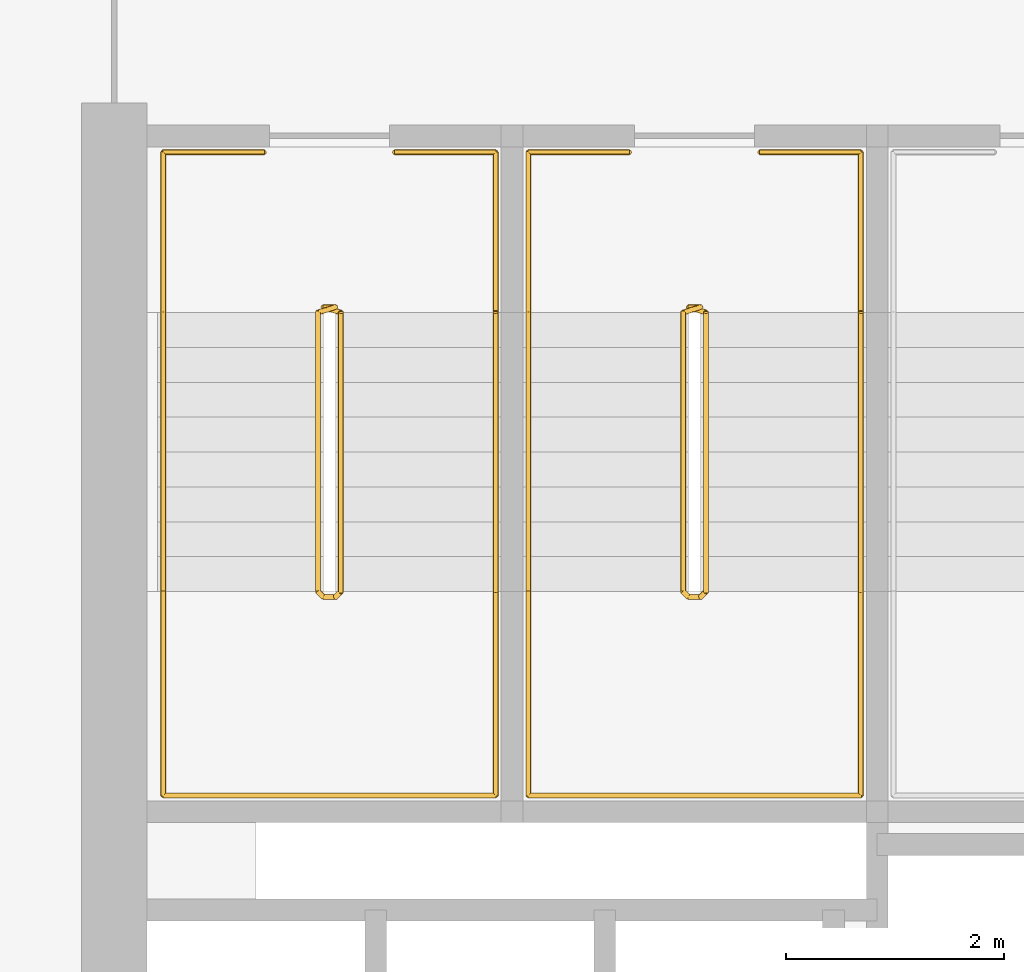
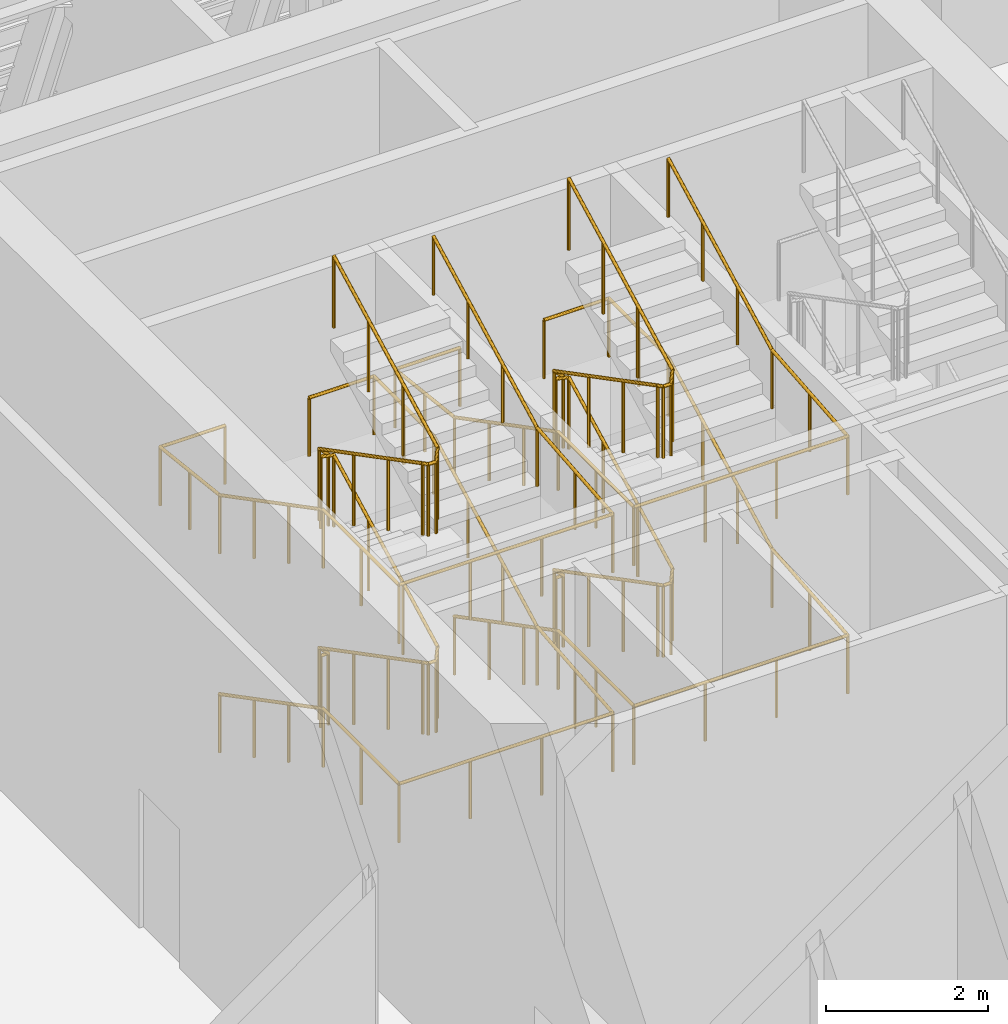
# One storey, part 23 of 24: 6 railings.
"""IFC4 building model written with IfcOpenShell, lengths in metres."""

from ifc_helpers import new_model, si_unit, direction, frame, origin, origin_2d, place, context, subcontext, project, spatial, circle, extrude, material, type_object, element, save


model = new_model("IFC4")

# Units and contexts
model_context = context("Model", 3, precision=1e-05, world=origin(), true_north=direction((0.0, 1.0)))
body_context = subcontext(model_context, "Body", "Model", "MODEL_VIEW")
ifc_project = project(units=[si_unit("LENGTHUNIT", "METRE"), si_unit("AREAUNIT", "SQUARE_METRE"), si_unit("VOLUMEUNIT", "CUBIC_METRE"), si_unit("PLANEANGLEUNIT", "RADIAN"), si_unit("MASSUNIT", "GRAM", prefix="KILO")], contexts=[model_context])

# Site, building, storey
site_placement = place(None, origin())
site = spatial("IfcSite", under=ifc_project, at=site_placement, CompositionType="ELEMENT")
building_placement = place(site_placement, origin())
building = spatial("IfcBuilding", under=site, at=building_placement, Name="Tessera Arch", CompositionType="ELEMENT")
storey_placement = place(building_placement, frame((0.0, 0.0, 123.39990234375)))
storey = spatial("IfcBuildingStorey", under=building, at=storey_placement, Name="L29", CompositionType="ELEMENT", Elevation=123.39990234375)

# Railings
ifc_material_1 = material(Name="Painted steel balustrade", Category="steel")
railing_type_1 = type_object("IfcRailingType", Name="Stair guard 1100", PredefinedType="GUARDRAIL", material=ifc_material_1)
railing_1_placement = place(storey_placement, frame((38.219970703125, 43.6298828125, 0.0)))
element("IfcRailing", 1, at=railing_1_placement, inside=storey, type_object=railing_type_1, Name="L29 S1a stair guard 1", PredefinedType="GUARDRAIL", context=body_context, shape_type="SweptSolid", body=[
    extrude(circle(Radius=0.02392578125, at=origin_2d()), frame((-0.00390625, 0.0, 1.076171875), z_axis=(1.0, 0.0, 0.0), x_axis=(0.0, 1.0, 0.0)), (0.0, 0.0, 1.0), 0.1181640625),
    extrude(circle(Radius=0.02392578125, at=origin_2d()), frame((0.11279296875, 0.000732421875, 1.0732421875), z_axis=(-0.677174120815, -0.210584635131, 0.705045616641), x_axis=(0.296948579431, -0.954893471113, 0.0)), (0.0, 0.0, 1.0), 0.244384765625),
    extrude(circle(Radius=0.02392578125, at=origin_2d()), frame((-0.050048828125, -0.046142578125, 1.240966796875), z_axis=(0.0, -0.886929966286, 0.461903923888), x_axis=(1.0, 0.0, 0.0)), (0.0, 0.0, 1.0), 2.89453125),
    extrude(circle(Radius=0.02392578125, at=origin_2d()), frame((-0.052978515625, -2.60693359375, 2.576171875), z_axis=(0.707106781187, -0.707106781187, 0.0), x_axis=(0.707106781187, 0.707106781187, 0.0)), (0.0, 0.0, 1.0), 0.078857421875),
    extrude(circle(Radius=0.02392578125, at=origin_2d()), frame((-0.00390625, -2.659912109375, 2.576171875), z_axis=(1.0, 0.0, 0.0), x_axis=(0.0, 1.0, 0.0)), (0.0, 0.0, 1.0), 0.1181640625),
    extrude(circle(Radius=0.02392578125, at=origin_2d()), frame((0.10888671875, -2.6611328125, 2.572265625), z_axis=(0.275041040955, 0.276389281352, 0.920848191041), x_axis=(-0.708833529934, 0.705375805398, 0.0)), (0.0, 0.0, 1.0), 0.18896484375),
    extrude(circle(Radius=0.02392578125, at=origin_2d()), frame((0.159912109375, -2.613525390625, 2.740966796875), z_axis=(0.0, 0.886929966286, 0.461903923888), x_axis=(-1.0, 0.0, 0.0)), (0.0, 0.0, 1.0), 2.89453125),
    extrude(circle(Radius=0.02392578125, at=origin_2d()), frame((0.163818359375, -0.051025390625, 4.076171875), z_axis=(-0.954764847777, 0.297361876254, 0.0), x_axis=(-0.297361876254, -0.954764847777, 0.0)), (0.0, 0.0, 1.0), 0.175537109375),
    extrude(circle(Radius=0.02392578125, at=origin_2d()), frame((-0.00390625, 0.0, 4.076171875), z_axis=(1.0, 0.0, 0.0), x_axis=(0.0, 1.0, 0.0)), (0.0, 0.0, 1.0), 0.1181640625),
    extrude(circle(Radius=0.02392578125, at=origin_2d()), frame((0.11279296875, 0.000732421875, 4.0732421875), z_axis=(-0.677174120815, -0.210584635131, 0.705045616641), x_axis=(0.296948579431, -0.954893471113, 0.0)), (0.0, 0.0, 1.0), 0.244384765625),
    extrude(circle(Radius=0.02392578125, at=origin_2d()), frame((-0.050048828125, -0.046142578125, 4.240966796875), z_axis=(0.0, -0.886929966286, 0.461903923888), x_axis=(1.0, 0.0, 0.0)), (0.0, 0.0, 1.0), 2.89453125),
    extrude(circle(Radius=0.02392578125, at=origin_2d()), frame((-0.052978515625, -2.60693359375, 5.576171875), z_axis=(0.707106781187, -0.707106781187, 0.0), x_axis=(0.707106781187, 0.707106781187, 0.0)), (0.0, 0.0, 1.0), 0.078857421875),
    extrude(circle(Radius=0.02392578125, at=origin_2d()), frame((-0.00390625, -2.659912109375, 5.576171875), z_axis=(1.0, 0.0, 0.0), x_axis=(0.0, 1.0, 0.0)), (0.0, 0.0, 1.0), 0.1181640625),
    extrude(circle(Radius=0.02392578125, at=origin_2d()), frame((0.10888671875, -2.6611328125, 5.572265625), z_axis=(0.275041040955, 0.276389281352, 0.920848191041), x_axis=(-0.708833529934, 0.705375805398, 0.0)), (0.0, 0.0, 1.0), 0.18896484375),
    extrude(circle(Radius=0.02392578125, at=origin_2d()), frame((0.159912109375, -2.613525390625, 5.740966796875), z_axis=(0.0, 0.886929966286, 0.461903923888), x_axis=(-1.0, 0.0, 0.0)), (0.0, 0.0, 1.0), 2.89453125),
    extrude(circle(Radius=0.02099609375, at=origin_2d()), origin(), (0.0, 0.0, 1.0), 1.06396484375),
    extrude(circle(Radius=0.02099609375, at=origin_2d()), frame((0.110107421875, 0.0, 0.0)), (0.0, 0.0, 1.0), 1.06396484375),
    extrude(circle(Radius=0.02099609375, at=origin_2d()), frame((-0.050048828125, -0.0498046875, 0.166748046875)), (0.0, 0.0, 1.0), 1.06396484375),
    extrude(circle(Radius=0.02099609375, at=origin_2d()), frame((-0.050048828125, -0.903076171875, 0.611083984375)), (0.0, 0.0, 1.0), 1.06396484375),
    extrude(circle(Radius=0.02099609375, at=origin_2d()), frame((-0.050048828125, -1.756591796875, 1.0556640625)), (0.0, 0.0, 1.0), 1.06396484375),
    extrude(circle(Radius=0.02099609375, at=origin_2d()), frame((-0.050048828125, -2.60986328125, 1.5)), (0.0, 0.0, 1.0), 1.06396484375),
    extrude(circle(Radius=0.02099609375, at=origin_2d()), frame((0.0, -2.659912109375, 1.5)), (0.0, 0.0, 1.0), 1.06396484375),
    extrude(circle(Radius=0.02099609375, at=origin_2d()), frame((0.110107421875, -2.659912109375, 1.5)), (0.0, 0.0, 1.0), 1.06396484375),
    extrude(circle(Radius=0.02099609375, at=origin_2d()), frame((0.159912109375, -2.60986328125, 1.666748046875)), (0.0, 0.0, 1.0), 1.06396484375),
    extrude(circle(Radius=0.02099609375, at=origin_2d()), frame((0.159912109375, -1.756591796875, 2.111083984375)), (0.0, 0.0, 1.0), 1.06396484375),
    extrude(circle(Radius=0.02099609375, at=origin_2d()), frame((0.159912109375, -0.903076171875, 2.5556640625)), (0.0, 0.0, 1.0), 1.06396484375),
    extrude(circle(Radius=0.02099609375, at=origin_2d()), frame((0.159912109375, -0.0498046875, 3.0)), (0.0, 0.0, 1.0), 1.06396484375),
    extrude(circle(Radius=0.02099609375, at=origin_2d()), frame((0.0, 0.0, 3.0)), (0.0, 0.0, 1.0), 1.06396484375),
    extrude(circle(Radius=0.02099609375, at=origin_2d()), frame((0.110107421875, 0.0, 3.0)), (0.0, 0.0, 1.0), 1.06396484375),
    extrude(circle(Radius=0.02099609375, at=origin_2d()), frame((-0.050048828125, -0.0498046875, 3.166748046875)), (0.0, 0.0, 1.0), 1.06396484375),
    extrude(circle(Radius=0.02099609375, at=origin_2d()), frame((-0.050048828125, -0.903076171875, 3.611083984375)), (0.0, 0.0, 1.0), 1.06396484375),
    extrude(circle(Radius=0.02099609375, at=origin_2d()), frame((-0.050048828125, -1.756591796875, 4.0556640625)), (0.0, 0.0, 1.0), 1.06396484375),
    extrude(circle(Radius=0.02099609375, at=origin_2d()), frame((-0.050048828125, -2.60986328125, 4.5)), (0.0, 0.0, 1.0), 1.06396484375),
    extrude(circle(Radius=0.02099609375, at=origin_2d()), frame((0.0, -2.659912109375, 4.5)), (0.0, 0.0, 1.0), 1.06396484375),
    extrude(circle(Radius=0.02099609375, at=origin_2d()), frame((0.110107421875, -2.659912109375, 4.5)), (0.0, 0.0, 1.0), 1.06396484375),
    extrude(circle(Radius=0.02099609375, at=origin_2d()), frame((0.159912109375, -2.60986328125, 4.666748046875)), (0.0, 0.0, 1.0), 1.06396484375),
    extrude(circle(Radius=0.02099609375, at=origin_2d()), frame((0.159912109375, -1.756591796875, 5.111083984375)), (0.0, 0.0, 1.0), 1.06396484375),
    extrude(circle(Radius=0.02099609375, at=origin_2d()), frame((0.159912109375, -0.903076171875, 5.5556640625)), (0.0, 0.0, 1.0), 1.06396484375),
    extrude(circle(Radius=0.02099609375, at=origin_2d()), frame((0.159912109375, -0.0498046875, 6.0)), (0.0, 0.0, 1.0), 1.06396484375),
])
railing_2_placement = place(storey_placement, frame((41.570068359375, 43.6298828125, 0.0)))
element("IfcRailing", 2, at=railing_2_placement, inside=storey, type_object=railing_type_1, Name="L29 S1b stair guard 1", PredefinedType="GUARDRAIL", context=body_context, shape_type="SweptSolid", body=[
    extrude(circle(Radius=0.02392578125, at=origin_2d()), frame((-0.00390625, 0.0, 1.076171875), z_axis=(1.0, 0.0, 0.0), x_axis=(0.0, 1.0, 0.0)), (0.0, 0.0, 1.0), 0.117919921875),
    extrude(circle(Radius=0.02392578125, at=origin_2d()), frame((0.112548828125, 0.000732421875, 1.0732421875), z_axis=(-0.676614622933, -0.210731882562, 0.705538606814), x_axis=(0.297361876254, -0.954764847777, 0.0)), (0.0, 0.0, 1.0), 0.244384765625),
    extrude(circle(Radius=0.02392578125, at=origin_2d()), frame((-0.050048828125, -0.046142578125, 1.240966796875), z_axis=(0.0, -0.886929966286, 0.461903923888), x_axis=(1.0, 0.0, 0.0)), (0.0, 0.0, 1.0), 2.89453125),
    extrude(circle(Radius=0.02392578125, at=origin_2d()), frame((-0.052978515625, -2.60693359375, 2.576171875), z_axis=(0.707106781187, -0.707106781187, 0.0), x_axis=(0.707106781187, 0.707106781187, 0.0)), (0.0, 0.0, 1.0), 0.078857421875),
    extrude(circle(Radius=0.02392578125, at=origin_2d()), frame((-0.00390625, -2.659912109375, 2.576171875), z_axis=(1.0, 0.0, 0.0), x_axis=(0.0, 1.0, 0.0)), (0.0, 0.0, 1.0), 0.117919921875),
    extrude(circle(Radius=0.02392578125, at=origin_2d()), frame((0.108642578125, -2.6611328125, 2.572265625), z_axis=(0.27628659633, 0.27628659633, 0.920506074601), x_axis=(-0.707106781187, 0.707106781187, 0.0)), (0.0, 0.0, 1.0), 0.189208984375),
    extrude(circle(Radius=0.02392578125, at=origin_2d()), frame((0.159912109375, -2.613525390625, 2.740966796875), z_axis=(0.0, 0.886929966286, 0.461903923888), x_axis=(-1.0, 0.0, 0.0)), (0.0, 0.0, 1.0), 2.89453125),
    extrude(circle(Radius=0.02392578125, at=origin_2d()), frame((0.163818359375, -0.051025390625, 4.076171875), z_axis=(-0.954764847777, 0.297361876254, 0.0), x_axis=(-0.297361876254, -0.954764847777, 0.0)), (0.0, 0.0, 1.0), 0.175537109375),
    extrude(circle(Radius=0.02392578125, at=origin_2d()), frame((-0.00390625, 0.0, 4.076171875), z_axis=(1.0, 0.0, 0.0), x_axis=(0.0, 1.0, 0.0)), (0.0, 0.0, 1.0), 0.117919921875),
    extrude(circle(Radius=0.02392578125, at=origin_2d()), frame((0.112548828125, 0.000732421875, 4.0732421875), z_axis=(-0.676614622933, -0.210731882562, 0.705538606814), x_axis=(0.297361876254, -0.954764847777, 0.0)), (0.0, 0.0, 1.0), 0.244384765625),
    extrude(circle(Radius=0.02392578125, at=origin_2d()), frame((-0.050048828125, -0.046142578125, 4.240966796875), z_axis=(0.0, -0.886929966286, 0.461903923888), x_axis=(1.0, 0.0, 0.0)), (0.0, 0.0, 1.0), 2.89453125),
    extrude(circle(Radius=0.02392578125, at=origin_2d()), frame((-0.052978515625, -2.60693359375, 5.576171875), z_axis=(0.707106781187, -0.707106781187, 0.0), x_axis=(0.707106781187, 0.707106781187, 0.0)), (0.0, 0.0, 1.0), 0.078857421875),
    extrude(circle(Radius=0.02392578125, at=origin_2d()), frame((-0.00390625, -2.659912109375, 5.576171875), z_axis=(1.0, 0.0, 0.0), x_axis=(0.0, 1.0, 0.0)), (0.0, 0.0, 1.0), 0.117919921875),
    extrude(circle(Radius=0.02392578125, at=origin_2d()), frame((0.108642578125, -2.6611328125, 5.572265625), z_axis=(0.27628659633, 0.27628659633, 0.920506074601), x_axis=(-0.707106781187, 0.707106781187, 0.0)), (0.0, 0.0, 1.0), 0.189208984375),
    extrude(circle(Radius=0.02392578125, at=origin_2d()), frame((0.159912109375, -2.613525390625, 5.740966796875), z_axis=(0.0, 0.886929966286, 0.461903923888), x_axis=(-1.0, 0.0, 0.0)), (0.0, 0.0, 1.0), 2.89453125),
    extrude(circle(Radius=0.02099609375, at=origin_2d()), origin(), (0.0, 0.0, 1.0), 1.06396484375),
    extrude(circle(Radius=0.02099609375, at=origin_2d()), frame((0.10986328125, 0.0, 0.0)), (0.0, 0.0, 1.0), 1.06396484375),
    extrude(circle(Radius=0.02099609375, at=origin_2d()), frame((-0.050048828125, -0.0498046875, 0.166748046875)), (0.0, 0.0, 1.0), 1.06396484375),
    extrude(circle(Radius=0.02099609375, at=origin_2d()), frame((-0.050048828125, -0.903076171875, 0.611083984375)), (0.0, 0.0, 1.0), 1.06396484375),
    extrude(circle(Radius=0.02099609375, at=origin_2d()), frame((-0.050048828125, -1.756591796875, 1.0556640625)), (0.0, 0.0, 1.0), 1.06396484375),
    extrude(circle(Radius=0.02099609375, at=origin_2d()), frame((-0.050048828125, -2.60986328125, 1.5)), (0.0, 0.0, 1.0), 1.06396484375),
    extrude(circle(Radius=0.02099609375, at=origin_2d()), frame((0.0, -2.659912109375, 1.5)), (0.0, 0.0, 1.0), 1.06396484375),
    extrude(circle(Radius=0.02099609375, at=origin_2d()), frame((0.10986328125, -2.659912109375, 1.5)), (0.0, 0.0, 1.0), 1.06396484375),
    extrude(circle(Radius=0.02099609375, at=origin_2d()), frame((0.159912109375, -2.60986328125, 1.666748046875)), (0.0, 0.0, 1.0), 1.06396484375),
    extrude(circle(Radius=0.02099609375, at=origin_2d()), frame((0.159912109375, -1.756591796875, 2.111083984375)), (0.0, 0.0, 1.0), 1.06396484375),
    extrude(circle(Radius=0.02099609375, at=origin_2d()), frame((0.159912109375, -0.903076171875, 2.5556640625)), (0.0, 0.0, 1.0), 1.06396484375),
    extrude(circle(Radius=0.02099609375, at=origin_2d()), frame((0.159912109375, -0.0498046875, 3.0)), (0.0, 0.0, 1.0), 1.06396484375),
    extrude(circle(Radius=0.02099609375, at=origin_2d()), frame((0.0, 0.0, 3.0)), (0.0, 0.0, 1.0), 1.06396484375),
    extrude(circle(Radius=0.02099609375, at=origin_2d()), frame((0.10986328125, 0.0, 3.0)), (0.0, 0.0, 1.0), 1.06396484375),
    extrude(circle(Radius=0.02099609375, at=origin_2d()), frame((-0.050048828125, -0.0498046875, 3.166748046875)), (0.0, 0.0, 1.0), 1.06396484375),
    extrude(circle(Radius=0.02099609375, at=origin_2d()), frame((-0.050048828125, -0.903076171875, 3.611083984375)), (0.0, 0.0, 1.0), 1.06396484375),
    extrude(circle(Radius=0.02099609375, at=origin_2d()), frame((-0.050048828125, -1.756591796875, 4.0556640625)), (0.0, 0.0, 1.0), 1.06396484375),
    extrude(circle(Radius=0.02099609375, at=origin_2d()), frame((-0.050048828125, -2.60986328125, 4.5)), (0.0, 0.0, 1.0), 1.06396484375),
    extrude(circle(Radius=0.02099609375, at=origin_2d()), frame((0.0, -2.659912109375, 4.5)), (0.0, 0.0, 1.0), 1.06396484375),
    extrude(circle(Radius=0.02099609375, at=origin_2d()), frame((0.10986328125, -2.659912109375, 4.5)), (0.0, 0.0, 1.0), 1.06396484375),
    extrude(circle(Radius=0.02099609375, at=origin_2d()), frame((0.159912109375, -2.60986328125, 4.666748046875)), (0.0, 0.0, 1.0), 1.06396484375),
    extrude(circle(Radius=0.02099609375, at=origin_2d()), frame((0.159912109375, -1.756591796875, 5.111083984375)), (0.0, 0.0, 1.0), 1.06396484375),
    extrude(circle(Radius=0.02099609375, at=origin_2d()), frame((0.159912109375, -0.903076171875, 5.5556640625)), (0.0, 0.0, 1.0), 1.06396484375),
    extrude(circle(Radius=0.02099609375, at=origin_2d()), frame((0.159912109375, -0.0498046875, 6.0)), (0.0, 0.0, 1.0), 1.06396484375),
])
ifc_material_2 = material(Name="Painted steel handrail", Category="steel")
railing_type_2 = type_object("IfcRailingType", Name="Stair handrail 900", PredefinedType="HANDRAIL", material=ifc_material_2)
railing_3_placement = place(storey_placement, frame((36.75, 43.580078125, 0.166748046875)))
element("IfcRailing", 3, at=railing_3_placement, inside=storey, type_object=railing_type_2, Name="L29 S1a stair handrail", PredefinedType="HANDRAIL", context=body_context, shape_type="SweptSolid", body=[
    extrude(circle(Radius=0.02392578125, at=origin_2d()), frame((0.0, 0.003662109375, 0.8740234375), z_axis=(0.0, -0.886929966286, 0.461903923888), x_axis=(1.0, 0.0, 0.0)), (0.0, 0.0, 1.0), 2.89453125),
    extrude(circle(Radius=0.02392578125, at=origin_2d()), frame((0.0, -2.55615234375, 2.208984375), z_axis=(0.0, -1.0, 0.0), x_axis=(1.0, 0.0, 0.0)), (0.0, 0.0, 1.0), 1.878173828125),
    extrude(circle(Radius=0.02392578125, at=origin_2d()), frame((-0.00390625, -4.43017578125, 2.208984375), z_axis=(1.0, 0.0, 0.0), x_axis=(0.0, 1.0, 0.0)), (0.0, 0.0, 1.0), 3.05810546875),
    extrude(circle(Radius=0.02392578125, at=origin_2d()), frame((3.050048828125, -4.43408203125, 2.208740234375), z_axis=(0.0, 0.996048393597, 0.088812147889), x_axis=(-1.0, 0.0, 0.0)), (0.0, 0.0, 1.0), 1.885498046875),
    extrude(circle(Radius=0.02392578125, at=origin_2d()), frame((3.050048828125, -2.563720703125, 2.3740234375), z_axis=(0.0, 0.886929966286, 0.461903923888), x_axis=(-1.0, 0.0, 0.0)), (0.0, 0.0, 1.0), 2.89453125),
    extrude(circle(Radius=0.02392578125, at=origin_2d()), frame((3.050048828125, -0.00390625, 3.708984375), z_axis=(0.0, 1.0, 0.0), x_axis=(-1.0, 0.0, 0.0)), (0.0, 0.0, 1.0), 1.47802734375),
    extrude(circle(Radius=0.02392578125, at=origin_2d()), frame((3.053955078125, 1.469970703125, 3.708984375), z_axis=(-1.0, 0.0, 0.0), x_axis=(0.0, -1.0, 0.0)), (0.0, 0.0, 1.0), 0.93310546875),
    extrude(circle(Radius=0.02099609375, at=origin_2d()), origin(), (0.0, 0.0, 1.0), 0.86376953125),
    extrude(circle(Radius=0.02099609375, at=origin_2d()), frame((0.0, -0.853271484375, 0.4443359375)), (0.0, 0.0, 1.0), 0.86376953125),
    extrude(circle(Radius=0.02099609375, at=origin_2d()), frame((0.0, -1.706787109375, 0.888916015625)), (0.0, 0.0, 1.0), 0.86376953125),
    extrude(circle(Radius=0.02099609375, at=origin_2d()), frame((0.0, -2.56005859375, 1.333251953125)), (0.0, 0.0, 1.0), 0.86376953125),
    extrude(circle(Radius=0.02099609375, at=origin_2d()), frame((0.0, -3.4951171875, 1.333251953125)), (0.0, 0.0, 1.0), 0.86376953125),
    extrude(circle(Radius=0.02099609375, at=origin_2d()), frame((0.0, -4.43017578125, 1.333251953125)), (0.0, 0.0, 1.0), 0.86376953125),
    extrude(circle(Radius=0.02099609375, at=origin_2d()), frame((1.0166015625, -4.43017578125, 1.333251953125)), (0.0, 0.0, 1.0), 0.86376953125),
    extrude(circle(Radius=0.02099609375, at=origin_2d()), frame((2.033447265625, -4.43017578125, 1.333251953125)), (0.0, 0.0, 1.0), 0.86376953125),
    extrude(circle(Radius=0.02099609375, at=origin_2d()), frame((3.050048828125, -4.43017578125, 1.333251953125)), (0.0, 0.0, 1.0), 0.86376953125),
    extrude(circle(Radius=0.02099609375, at=origin_2d()), frame((3.050048828125, -3.4951171875, 1.41650390625)), (0.0, 0.0, 1.0), 0.86376953125),
    extrude(circle(Radius=0.02099609375, at=origin_2d()), frame((3.050048828125, -2.56005859375, 1.5)), (0.0, 0.0, 1.0), 0.86376953125),
    extrude(circle(Radius=0.02099609375, at=origin_2d()), frame((3.050048828125, -1.706787109375, 1.9443359375)), (0.0, 0.0, 1.0), 0.86376953125),
    extrude(circle(Radius=0.02099609375, at=origin_2d()), frame((3.050048828125, -0.853271484375, 2.388916015625)), (0.0, 0.0, 1.0), 0.86376953125),
    extrude(circle(Radius=0.02099609375, at=origin_2d()), frame((3.050048828125, 0.0, 2.833251953125)), (0.0, 0.0, 1.0), 0.86376953125),
    extrude(circle(Radius=0.02099609375, at=origin_2d()), frame((3.050048828125, 0.73486328125, 2.833251953125)), (0.0, 0.0, 1.0), 0.86376953125),
    extrude(circle(Radius=0.02099609375, at=origin_2d()), frame((3.050048828125, 1.469970703125, 2.833251953125)), (0.0, 0.0, 1.0), 0.86376953125),
    extrude(circle(Radius=0.02099609375, at=origin_2d()), frame((2.125, 1.469970703125, 2.833251953125)), (0.0, 0.0, 1.0), 0.86376953125),
])
railing_4_placement = place(storey_placement, frame((37.675048828125, 45.050048828125, 3.0)))
element("IfcRailing", 4, at=railing_4_placement, inside=storey, type_object=railing_type_2, Name="L29 S1a stair handrail 2", PredefinedType="HANDRAIL", context=body_context, shape_type="SweptSolid", body=[
    extrude(circle(Radius=0.02392578125, at=origin_2d()), frame((0.00390625, 0.0, 0.8759765625), z_axis=(-1.0, 0.0, 0.0), x_axis=(0.0, -1.0, 0.0)), (0.0, 0.0, 1.0), 0.93310546875),
    extrude(circle(Radius=0.02392578125, at=origin_2d()), frame((-0.925048828125, 0.00390625, 0.87548828125), z_axis=(0.0, -0.993627536354, 0.112713437524), x_axis=(1.0, 0.0, 0.0)), (0.0, 0.0, 1.0), 1.4873046875),
    extrude(circle(Radius=0.02392578125, at=origin_2d()), frame((-0.925048828125, -1.46630859375, 1.040771484375), z_axis=(0.0, -0.886929966286, 0.461903923888), x_axis=(1.0, 0.0, 0.0)), (0.0, 0.0, 1.0), 2.89453125),
    extrude(circle(Radius=0.02392578125, at=origin_2d()), frame((-0.925048828125, -4.026123046875, 2.3759765625), z_axis=(0.0, -1.0, 0.0), x_axis=(1.0, 0.0, 0.0)), (0.0, 0.0, 1.0), 1.878173828125),
    extrude(circle(Radius=0.02392578125, at=origin_2d()), frame((-0.928955078125, -5.900146484375, 2.3759765625), z_axis=(1.0, 0.0, 0.0), x_axis=(0.0, 1.0, 0.0)), (0.0, 0.0, 1.0), 3.05810546875),
    extrude(circle(Radius=0.02392578125, at=origin_2d()), frame((2.125, -5.904052734375, 2.37548828125), z_axis=(0.0, 0.996048393597, 0.088812147889), x_axis=(-1.0, 0.0, 0.0)), (0.0, 0.0, 1.0), 1.885498046875),
    extrude(circle(Radius=0.02392578125, at=origin_2d()), frame((2.125, -4.03369140625, 2.540771484375), z_axis=(0.0, 0.886929966286, 0.461903923888), x_axis=(-1.0, 0.0, 0.0)), (0.0, 0.0, 1.0), 2.89453125),
    extrude(circle(Radius=0.02099609375, at=origin_2d()), origin(), (0.0, 0.0, 1.0), 0.86376953125),
    extrude(circle(Radius=0.02099609375, at=origin_2d()), frame((-0.925048828125, 0.0, 0.0)), (0.0, 0.0, 1.0), 0.86376953125),
    extrude(circle(Radius=0.02099609375, at=origin_2d()), frame((-0.925048828125, -0.73486328125, 0.08349609375)), (0.0, 0.0, 1.0), 0.86376953125),
    extrude(circle(Radius=0.02099609375, at=origin_2d()), frame((-0.925048828125, -1.469970703125, 0.166748046875)), (0.0, 0.0, 1.0), 0.86376953125),
    extrude(circle(Radius=0.02099609375, at=origin_2d()), frame((-0.925048828125, -2.3232421875, 0.611083984375)), (0.0, 0.0, 1.0), 0.86376953125),
    extrude(circle(Radius=0.02099609375, at=origin_2d()), frame((-0.925048828125, -3.1767578125, 1.0556640625)), (0.0, 0.0, 1.0), 0.86376953125),
    extrude(circle(Radius=0.02099609375, at=origin_2d()), frame((-0.925048828125, -4.030029296875, 1.5)), (0.0, 0.0, 1.0), 0.86376953125),
    extrude(circle(Radius=0.02099609375, at=origin_2d()), frame((-0.925048828125, -4.965087890625, 1.5)), (0.0, 0.0, 1.0), 0.86376953125),
    extrude(circle(Radius=0.02099609375, at=origin_2d()), frame((-0.925048828125, -5.900146484375, 1.5)), (0.0, 0.0, 1.0), 0.86376953125),
    extrude(circle(Radius=0.02099609375, at=origin_2d()), frame((0.091552734375, -5.900146484375, 1.5)), (0.0, 0.0, 1.0), 0.86376953125),
    extrude(circle(Radius=0.02099609375, at=origin_2d()), frame((1.1083984375, -5.900146484375, 1.5)), (0.0, 0.0, 1.0), 0.86376953125),
    extrude(circle(Radius=0.02099609375, at=origin_2d()), frame((2.125, -5.900146484375, 1.5)), (0.0, 0.0, 1.0), 0.86376953125),
    extrude(circle(Radius=0.02099609375, at=origin_2d()), frame((2.125, -4.965087890625, 1.58349609375)), (0.0, 0.0, 1.0), 0.86376953125),
    extrude(circle(Radius=0.02099609375, at=origin_2d()), frame((2.125, -4.030029296875, 1.666748046875)), (0.0, 0.0, 1.0), 0.86376953125),
    extrude(circle(Radius=0.02099609375, at=origin_2d()), frame((2.125, -3.1767578125, 2.111083984375)), (0.0, 0.0, 1.0), 0.86376953125),
    extrude(circle(Radius=0.02099609375, at=origin_2d()), frame((2.125, -2.3232421875, 2.5556640625)), (0.0, 0.0, 1.0), 0.86376953125),
    extrude(circle(Radius=0.02099609375, at=origin_2d()), frame((2.125, -1.469970703125, 3.0)), (0.0, 0.0, 1.0), 0.86376953125),
])
railing_5_placement = place(storey_placement, frame((40.10009765625, 43.580078125, 0.166748046875)))
element("IfcRailing", 5, at=railing_5_placement, inside=storey, type_object=railing_type_2, Name="L29 S1b stair handrail", PredefinedType="HANDRAIL", context=body_context, shape_type="SweptSolid", body=[
    extrude(circle(Radius=0.02392578125, at=origin_2d()), frame((0.0, 0.003662109375, 0.8740234375), z_axis=(0.0, -0.886929966286, 0.461903923888), x_axis=(1.0, 0.0, 0.0)), (0.0, 0.0, 1.0), 2.89453125),
    extrude(circle(Radius=0.02392578125, at=origin_2d()), frame((0.0, -2.55615234375, 2.208984375), z_axis=(0.0, -1.0, 0.0), x_axis=(1.0, 0.0, 0.0)), (0.0, 0.0, 1.0), 1.878173828125),
    extrude(circle(Radius=0.02392578125, at=origin_2d()), frame((-0.00390625, -4.43017578125, 2.208984375), z_axis=(1.0, 0.0, 0.0), x_axis=(0.0, 1.0, 0.0)), (0.0, 0.0, 1.0), 3.057861328125),
    extrude(circle(Radius=0.02392578125, at=origin_2d()), frame((3.0498046875, -4.43408203125, 2.208740234375), z_axis=(0.0, 0.996048393597, 0.088812147889), x_axis=(-1.0, 0.0, 0.0)), (0.0, 0.0, 1.0), 1.885498046875),
    extrude(circle(Radius=0.02392578125, at=origin_2d()), frame((3.0498046875, -2.563720703125, 2.3740234375), z_axis=(0.0, 0.886929966286, 0.461903923888), x_axis=(-1.0, 0.0, 0.0)), (0.0, 0.0, 1.0), 2.89453125),
    extrude(circle(Radius=0.02392578125, at=origin_2d()), frame((3.0498046875, -0.00390625, 3.708984375), z_axis=(0.0, 1.0, 0.0), x_axis=(-1.0, 0.0, 0.0)), (0.0, 0.0, 1.0), 1.47802734375),
    extrude(circle(Radius=0.02392578125, at=origin_2d()), frame((3.0537109375, 1.469970703125, 3.708984375), z_axis=(-1.0, 0.0, 0.0), x_axis=(0.0, -1.0, 0.0)), (0.0, 0.0, 1.0), 0.932861328125),
    extrude(circle(Radius=0.02099609375, at=origin_2d()), origin(), (0.0, 0.0, 1.0), 0.86376953125),
    extrude(circle(Radius=0.02099609375, at=origin_2d()), frame((0.0, -0.853271484375, 0.4443359375)), (0.0, 0.0, 1.0), 0.86376953125),
    extrude(circle(Radius=0.02099609375, at=origin_2d()), frame((0.0, -1.706787109375, 0.888916015625)), (0.0, 0.0, 1.0), 0.86376953125),
    extrude(circle(Radius=0.02099609375, at=origin_2d()), frame((0.0, -2.56005859375, 1.333251953125)), (0.0, 0.0, 1.0), 0.86376953125),
    extrude(circle(Radius=0.02099609375, at=origin_2d()), frame((0.0, -3.4951171875, 1.333251953125)), (0.0, 0.0, 1.0), 0.86376953125),
    extrude(circle(Radius=0.02099609375, at=origin_2d()), frame((0.0, -4.43017578125, 1.333251953125)), (0.0, 0.0, 1.0), 0.86376953125),
    extrude(circle(Radius=0.02099609375, at=origin_2d()), frame((1.0166015625, -4.43017578125, 1.333251953125)), (0.0, 0.0, 1.0), 0.86376953125),
    extrude(circle(Radius=0.02099609375, at=origin_2d()), frame((2.033203125, -4.43017578125, 1.333251953125)), (0.0, 0.0, 1.0), 0.86376953125),
    extrude(circle(Radius=0.02099609375, at=origin_2d()), frame((3.0498046875, -4.43017578125, 1.333251953125)), (0.0, 0.0, 1.0), 0.86376953125),
    extrude(circle(Radius=0.02099609375, at=origin_2d()), frame((3.0498046875, -3.4951171875, 1.41650390625)), (0.0, 0.0, 1.0), 0.86376953125),
    extrude(circle(Radius=0.02099609375, at=origin_2d()), frame((3.0498046875, -2.56005859375, 1.5)), (0.0, 0.0, 1.0), 0.86376953125),
    extrude(circle(Radius=0.02099609375, at=origin_2d()), frame((3.0498046875, -1.706787109375, 1.9443359375)), (0.0, 0.0, 1.0), 0.86376953125),
    extrude(circle(Radius=0.02099609375, at=origin_2d()), frame((3.0498046875, -0.853271484375, 2.388916015625)), (0.0, 0.0, 1.0), 0.86376953125),
    extrude(circle(Radius=0.02099609375, at=origin_2d()), frame((3.0498046875, 0.0, 2.833251953125)), (0.0, 0.0, 1.0), 0.86376953125),
    extrude(circle(Radius=0.02099609375, at=origin_2d()), frame((3.0498046875, 0.73486328125, 2.833251953125)), (0.0, 0.0, 1.0), 0.86376953125),
    extrude(circle(Radius=0.02099609375, at=origin_2d()), frame((3.0498046875, 1.469970703125, 2.833251953125)), (0.0, 0.0, 1.0), 0.86376953125),
    extrude(circle(Radius=0.02099609375, at=origin_2d()), frame((2.125, 1.469970703125, 2.833251953125)), (0.0, 0.0, 1.0), 0.86376953125),
])
railing_6_placement = place(storey_placement, frame((41.02490234375, 45.050048828125, 3.0)))
element("IfcRailing", 6, at=railing_6_placement, inside=storey, type_object=railing_type_2, Name="L29 S1b stair handrail 2", PredefinedType="HANDRAIL", context=body_context, shape_type="SweptSolid", body=[
    extrude(circle(Radius=0.02392578125, at=origin_2d()), frame((0.00390625, 0.0, 0.8759765625), z_axis=(-1.0, 0.0, 0.0), x_axis=(0.0, -1.0, 0.0)), (0.0, 0.0, 1.0), 0.932861328125),
    extrude(circle(Radius=0.02392578125, at=origin_2d()), frame((-0.9248046875, 0.00390625, 0.87548828125), z_axis=(0.0, -0.993627536354, 0.112713437524), x_axis=(1.0, 0.0, 0.0)), (0.0, 0.0, 1.0), 1.4873046875),
    extrude(circle(Radius=0.02392578125, at=origin_2d()), frame((-0.9248046875, -1.46630859375, 1.040771484375), z_axis=(0.0, -0.886929966286, 0.461903923888), x_axis=(1.0, 0.0, 0.0)), (0.0, 0.0, 1.0), 2.89453125),
    extrude(circle(Radius=0.02392578125, at=origin_2d()), frame((-0.9248046875, -4.026123046875, 2.3759765625), z_axis=(0.0, -1.0, 0.0), x_axis=(1.0, 0.0, 0.0)), (0.0, 0.0, 1.0), 1.878173828125),
    extrude(circle(Radius=0.02392578125, at=origin_2d()), frame((-0.9287109375, -5.900146484375, 2.3759765625), z_axis=(1.0, 0.0, 0.0), x_axis=(0.0, 1.0, 0.0)), (0.0, 0.0, 1.0), 3.057861328125),
    extrude(circle(Radius=0.02392578125, at=origin_2d()), frame((2.125, -5.904052734375, 2.37548828125), z_axis=(0.0, 0.996048393597, 0.088812147889), x_axis=(-1.0, 0.0, 0.0)), (0.0, 0.0, 1.0), 1.885498046875),
    extrude(circle(Radius=0.02392578125, at=origin_2d()), frame((2.125, -4.03369140625, 2.540771484375), z_axis=(0.0, 0.886929966286, 0.461903923888), x_axis=(-1.0, 0.0, 0.0)), (0.0, 0.0, 1.0), 2.89453125),
    extrude(circle(Radius=0.02099609375, at=origin_2d()), origin(), (0.0, 0.0, 1.0), 0.86376953125),
    extrude(circle(Radius=0.02099609375, at=origin_2d()), frame((-0.9248046875, 0.0, 0.0)), (0.0, 0.0, 1.0), 0.86376953125),
    extrude(circle(Radius=0.02099609375, at=origin_2d()), frame((-0.9248046875, -0.73486328125, 0.08349609375)), (0.0, 0.0, 1.0), 0.86376953125),
    extrude(circle(Radius=0.02099609375, at=origin_2d()), frame((-0.9248046875, -1.469970703125, 0.166748046875)), (0.0, 0.0, 1.0), 0.86376953125),
    extrude(circle(Radius=0.02099609375, at=origin_2d()), frame((-0.9248046875, -2.3232421875, 0.611083984375)), (0.0, 0.0, 1.0), 0.86376953125),
    extrude(circle(Radius=0.02099609375, at=origin_2d()), frame((-0.9248046875, -3.1767578125, 1.0556640625)), (0.0, 0.0, 1.0), 0.86376953125),
    extrude(circle(Radius=0.02099609375, at=origin_2d()), frame((-0.9248046875, -4.030029296875, 1.5)), (0.0, 0.0, 1.0), 0.86376953125),
    extrude(circle(Radius=0.02099609375, at=origin_2d()), frame((-0.9248046875, -4.965087890625, 1.5)), (0.0, 0.0, 1.0), 0.86376953125),
    extrude(circle(Radius=0.02099609375, at=origin_2d()), frame((-0.9248046875, -5.900146484375, 1.5)), (0.0, 0.0, 1.0), 0.86376953125),
    extrude(circle(Radius=0.02099609375, at=origin_2d()), frame((0.091796875, -5.900146484375, 1.5)), (0.0, 0.0, 1.0), 0.86376953125),
    extrude(circle(Radius=0.02099609375, at=origin_2d()), frame((1.1083984375, -5.900146484375, 1.5)), (0.0, 0.0, 1.0), 0.86376953125),
    extrude(circle(Radius=0.02099609375, at=origin_2d()), frame((2.125, -5.900146484375, 1.5)), (0.0, 0.0, 1.0), 0.86376953125),
    extrude(circle(Radius=0.02099609375, at=origin_2d()), frame((2.125, -4.965087890625, 1.58349609375)), (0.0, 0.0, 1.0), 0.86376953125),
    extrude(circle(Radius=0.02099609375, at=origin_2d()), frame((2.125, -4.030029296875, 1.666748046875)), (0.0, 0.0, 1.0), 0.86376953125),
    extrude(circle(Radius=0.02099609375, at=origin_2d()), frame((2.125, -3.1767578125, 2.111083984375)), (0.0, 0.0, 1.0), 0.86376953125),
    extrude(circle(Radius=0.02099609375, at=origin_2d()), frame((2.125, -2.3232421875, 2.5556640625)), (0.0, 0.0, 1.0), 0.86376953125),
    extrude(circle(Radius=0.02099609375, at=origin_2d()), frame((2.125, -1.469970703125, 3.0)), (0.0, 0.0, 1.0), 0.86376953125),
])

save(model, "model.ifc")
